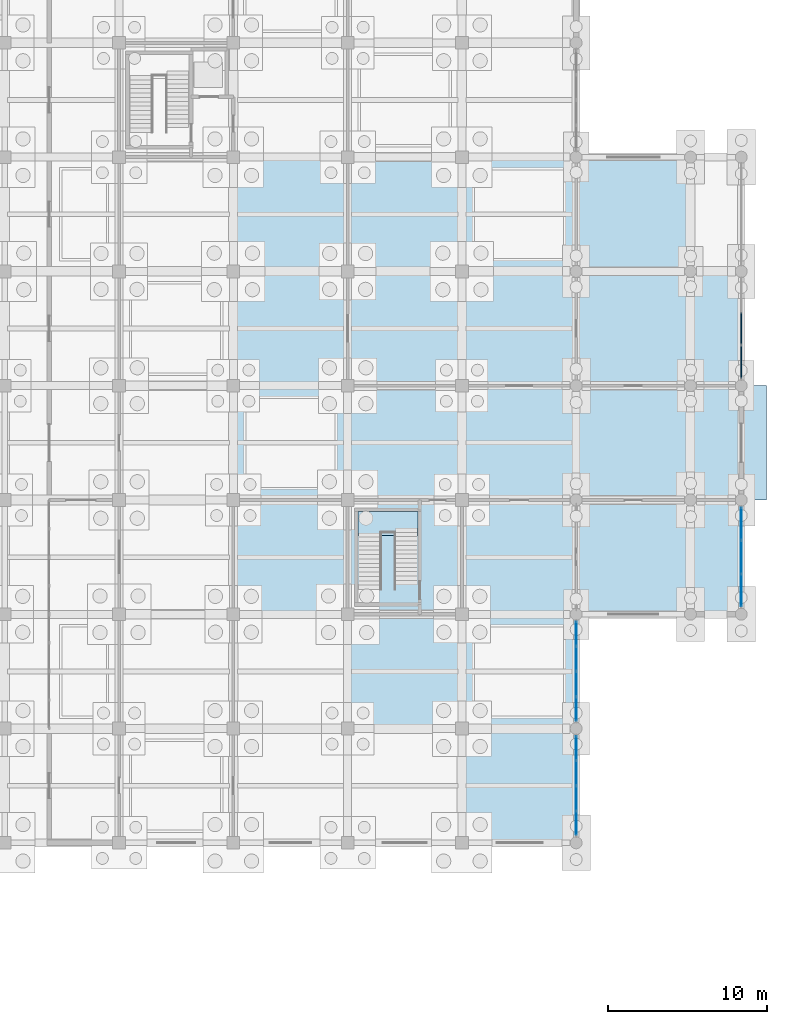
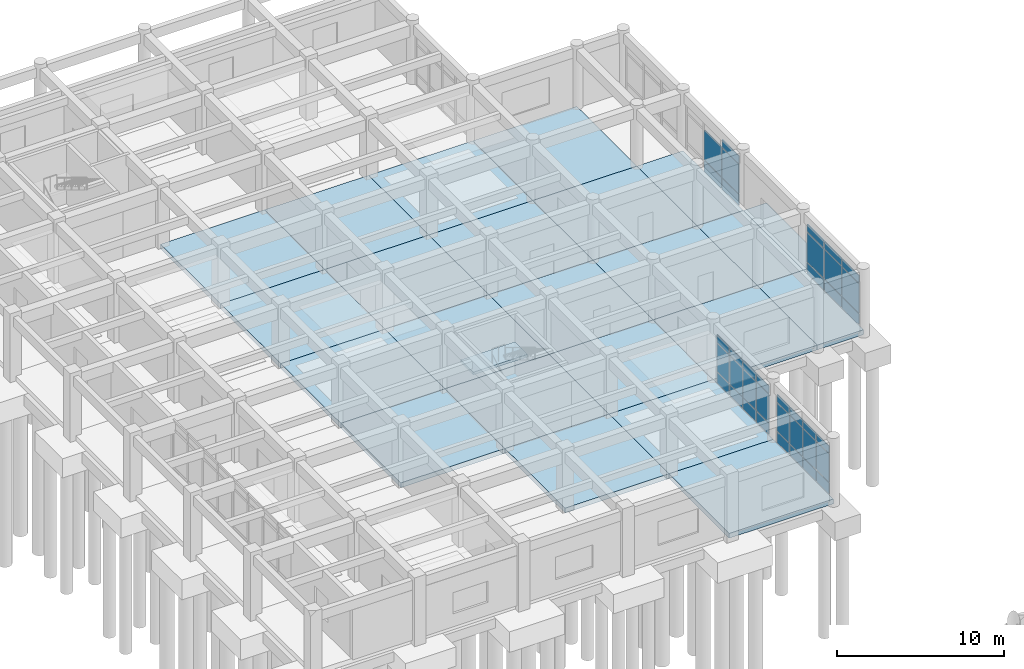
# One storey, part 51 of 79: 38 plates, 24 slabs, 5 elements without a shape of their own.
"""IFC4 building model written with IfcOpenShell, lengths in metres."""

from ifc_helpers import new_model, si_unit, direction, frame, origin, origin_2d, place, context, subcontext, project, spatial, polyline, rectangle, outline, extrude, material, layer, layer_set, type_object, element, aggregate, save


model = new_model("IFC4")

# Units and contexts
model_context = context("Model", 3, precision=1e-05, world=origin(), true_north=direction((0.0, 1.0)))
body_context = subcontext(model_context, "Body", "Model", "MODEL_VIEW")
ifc_project = project(units=[si_unit("LENGTHUNIT", "METRE"), si_unit("AREAUNIT", "SQUARE_METRE"), si_unit("VOLUMEUNIT", "CUBIC_METRE"), si_unit("PLANEANGLEUNIT", "RADIAN"), si_unit("MASSUNIT", "GRAM", prefix="KILO")], contexts=[model_context])

# Site, building, storey
site_placement = place(None, origin())
site = spatial("IfcSite", under=ifc_project, at=site_placement, CompositionType="ELEMENT")
building_placement = place(site_placement, origin())
building = spatial("IfcBuilding", under=site, at=building_placement, Name="Kavelor Marine Aquarium", CompositionType="ELEMENT")
storey_placement = place(building_placement, origin())
storey = spatial("IfcBuildingStorey", under=building, at=storey_placement, Name="L00", CompositionType="ELEMENT", Elevation=0.0)

# Curtain wall, plates
ifc_material_1 = material(Name="Thermally Broken Aluminium and Low-E Glass", Category="aluminium")
ifc_layer_1 = layer(ifc_material_1, 0.243896484375)
ifc_layer_set_1 = layer_set([ifc_layer_1], Name="CW-SYS13")
curtain_wall_type_1 = type_object("IfcCurtainWallType", Name="CW-SYS13", PredefinedType="USERDEFINED", material=ifc_layer_set_1)
curtain_wall_1_placement = place(storey_placement, origin())
curtain_wall_1 = element("IfcCurtainWall", 1, at=curtain_wall_1_placement, inside=storey, type_object=curtain_wall_type_1, Name="cw:y:L00:21_07", ObjectType="Curtain Wall", PredefinedType="USERDEFINED")
ifc_material_2 = material(Name="Solar-Control Double Low-E Glazing", Category="glass")
ifc_layer_2 = layer(ifc_material_2, 0.050048828125)
ifc_layer_set_2 = layer_set([ifc_layer_2], Name="CWP-13")
plate_type_1 = type_object("IfcPlateType", Name="CWP-13", PredefinedType="CURTAIN_PANEL", material=ifc_layer_set_2)
plate_1_placement = place(storey_placement, frame((154.39990234375, 54.433837890625, 0.074951171875), z_axis=(0.0, 0.0, 1.0), x_axis=(0.0, 1.0, 0.0)))
plate_1 = element("IfcPlate", 2, at=plate_1_placement, type_object=plate_type_1, Name="CW13 panel 1.1", PredefinedType="CURTAIN_PANEL", context=body_context, shape_type="SweptSolid", body=[
    extrude(rectangle(XDim=1.4775390625, YDim=0.050048828125, at=origin_2d()), origin(), (0.0, 0.0, 1.0), 0.78759765625),
])
plate_2_placement = place(storey_placement, frame((154.39990234375, 54.433837890625, 0.9375), z_axis=(0.0, 0.0, 1.0), x_axis=(0.0, 1.0, 0.0)))
plate_2 = element("IfcPlate", 3, at=plate_2_placement, type_object=plate_type_1, Name="CW13 panel 1.2", PredefinedType="CURTAIN_PANEL", context=body_context, shape_type="SweptSolid", body=[
    extrude(rectangle(XDim=1.4775390625, YDim=0.050048828125, at=origin_2d()), origin(), (0.0, 0.0, 1.0), 2.044921875),
])
plate_3_placement = place(storey_placement, frame((154.39990234375, 54.433837890625, 3.057373046875), z_axis=(0.0, 0.0, 1.0), x_axis=(0.0, 1.0, 0.0)))
plate_3 = element("IfcPlate", 4, at=plate_3_placement, type_object=plate_type_1, Name="CW13 panel 1.3", PredefinedType="CURTAIN_PANEL", context=body_context, shape_type="SweptSolid", body=[
    extrude(rectangle(XDim=1.4775390625, YDim=0.050048828125, at=origin_2d()), origin(), (0.0, 0.0, 1.0), 0.53759765625),
])
plate_4_placement = place(storey_placement, frame((154.39990234375, 56.0048828125, 0.074951171875), z_axis=(0.0, 0.0, 1.0), x_axis=(0.0, 1.0, 0.0)))
plate_4 = element("IfcPlate", 5, at=plate_4_placement, type_object=plate_type_1, Name="CW13 panel 2.1", PredefinedType="CURTAIN_PANEL", context=body_context, shape_type="SweptSolid", body=[
    extrude(rectangle(XDim=1.514892578125, YDim=0.050048828125, at=origin_2d()), origin(), (0.0, 0.0, 1.0), 0.78759765625),
])
plate_5_placement = place(storey_placement, frame((154.39990234375, 56.0048828125, 0.9375), z_axis=(0.0, 0.0, 1.0), x_axis=(0.0, 1.0, 0.0)))
plate_5 = element("IfcPlate", 6, at=plate_5_placement, type_object=plate_type_1, Name="CW13 panel 2.2", PredefinedType="CURTAIN_PANEL", context=body_context, shape_type="SweptSolid", body=[
    extrude(rectangle(XDim=1.514892578125, YDim=0.050048828125, at=origin_2d()), origin(), (0.0, 0.0, 1.0), 2.044921875),
])
plate_6_placement = place(storey_placement, frame((154.39990234375, 56.0048828125, 3.057373046875), z_axis=(0.0, 0.0, 1.0), x_axis=(0.0, 1.0, 0.0)))
plate_6 = element("IfcPlate", 7, at=plate_6_placement, type_object=plate_type_1, Name="CW13 panel 2.3", PredefinedType="CURTAIN_PANEL", context=body_context, shape_type="SweptSolid", body=[
    extrude(rectangle(XDim=1.514892578125, YDim=0.050048828125, at=origin_2d()), origin(), (0.0, 0.0, 1.0), 0.53759765625),
])
plate_7_placement = place(storey_placement, frame((154.39990234375, 57.594970703125, 0.074951171875), z_axis=(0.0, 0.0, 1.0), x_axis=(0.0, 1.0, 0.0)))
plate_7 = element("IfcPlate", 8, at=plate_7_placement, type_object=plate_type_1, Name="CW13 panel 3.1", PredefinedType="CURTAIN_PANEL", context=body_context, shape_type="SweptSolid", body=[
    extrude(rectangle(XDim=1.514892578125, YDim=0.050048828125, at=origin_2d()), origin(), (0.0, 0.0, 1.0), 0.78759765625),
])
plate_8_placement = place(storey_placement, frame((154.39990234375, 57.594970703125, 0.9375), z_axis=(0.0, 0.0, 1.0), x_axis=(0.0, 1.0, 0.0)))
plate_8 = element("IfcPlate", 9, at=plate_8_placement, type_object=plate_type_1, Name="CW13 panel 3.2", PredefinedType="CURTAIN_PANEL", context=body_context, shape_type="SweptSolid", body=[
    extrude(rectangle(XDim=1.514892578125, YDim=0.050048828125, at=origin_2d()), origin(), (0.0, 0.0, 1.0), 2.044921875),
])
plate_9_placement = place(storey_placement, frame((154.39990234375, 57.594970703125, 3.057373046875), z_axis=(0.0, 0.0, 1.0), x_axis=(0.0, 1.0, 0.0)))
plate_9 = element("IfcPlate", 10, at=plate_9_placement, type_object=plate_type_1, Name="CW13 panel 3.3", PredefinedType="CURTAIN_PANEL", context=body_context, shape_type="SweptSolid", body=[
    extrude(rectangle(XDim=1.514892578125, YDim=0.050048828125, at=origin_2d()), origin(), (0.0, 0.0, 1.0), 0.53759765625),
])
plate_10_placement = place(storey_placement, frame((154.39990234375, 59.166259765625, 0.074951171875), z_axis=(0.0, 0.0, 1.0), x_axis=(0.0, 1.0, 0.0)))
plate_10 = element("IfcPlate", 11, at=plate_10_placement, type_object=plate_type_1, Name="CW13 panel 4.1", PredefinedType="CURTAIN_PANEL", context=body_context, shape_type="SweptSolid", body=[
    extrude(rectangle(XDim=1.4775390625, YDim=0.050048828125, at=origin_2d()), origin(), (0.0, 0.0, 1.0), 0.78759765625),
])
plate_11_placement = place(storey_placement, frame((154.39990234375, 59.166259765625, 0.9375), z_axis=(0.0, 0.0, 1.0), x_axis=(0.0, 1.0, 0.0)))
plate_11 = element("IfcPlate", 12, at=plate_11_placement, type_object=plate_type_1, Name="CW13 panel 4.2", PredefinedType="CURTAIN_PANEL", context=body_context, shape_type="SweptSolid", body=[
    extrude(rectangle(XDim=1.4775390625, YDim=0.050048828125, at=origin_2d()), origin(), (0.0, 0.0, 1.0), 2.044921875),
])
plate_12_placement = place(storey_placement, frame((154.39990234375, 59.166259765625, 3.057373046875), z_axis=(0.0, 0.0, 1.0), x_axis=(0.0, 1.0, 0.0)))
plate_12 = element("IfcPlate", 13, at=plate_12_placement, type_object=plate_type_1, Name="CW13 panel 4.3", PredefinedType="CURTAIN_PANEL", context=body_context, shape_type="SweptSolid", body=[
    extrude(rectangle(XDim=1.4775390625, YDim=0.050048828125, at=origin_2d()), origin(), (0.0, 0.0, 1.0), 0.53759765625),
])
aggregate(curtain_wall_1, [plate_1, plate_2, plate_3, plate_4, plate_5, plate_6, plate_7, plate_8, plate_9, plate_10, plate_11, plate_12])

ifc_material_3 = material(Name="Thermally Broken Aluminium and Low-E Glass", Category="aluminium")
ifc_layer_3 = layer(ifc_material_3, 0.251953125)
ifc_layer_set_3 = layer_set([ifc_layer_3], Name="CW-SYS14")
curtain_wall_type_2 = type_object("IfcCurtainWallType", Name="CW-SYS14", PredefinedType="USERDEFINED", material=ifc_layer_set_3)
curtain_wall_2_placement = place(storey_placement, origin())
curtain_wall_2 = element("IfcCurtainWall", 14, at=curtain_wall_2_placement, inside=storey, type_object=curtain_wall_type_2, Name="cw:y:L00:21_08", ObjectType="Curtain Wall", PredefinedType="USERDEFINED")
ifc_material_4 = material(Name="Solar-Control Double Low-E Glazing", Category="glass")
ifc_layer_4 = layer(ifc_material_4, 0.052001953125)
ifc_layer_set_4 = layer_set([ifc_layer_4], Name="CWP-14")
plate_type_2 = type_object("IfcPlateType", Name="CWP-14", PredefinedType="CURTAIN_PANEL", material=ifc_layer_set_4)
plate_13_placement = place(storey_placement, frame((154.39990234375, 61.63134765625, 0.06494140625), z_axis=(0.0, 0.0, 1.0), x_axis=(0.0, 1.0, 0.0)))
plate_13 = element("IfcPlate", 15, at=plate_13_placement, type_object=plate_type_2, Name="CW14 panel 1.1", PredefinedType="CURTAIN_PANEL", context=body_context, shape_type="SweptSolid", body=[
    extrude(rectangle(XDim=1.492431640625, YDim=0.052001953125, at=origin_2d()), origin(), (0.0, 0.0, 1.0), 0.802490234375),
])
plate_14_placement = place(storey_placement, frame((154.39990234375, 61.63134765625, 0.9326171875), z_axis=(0.0, 0.0, 1.0), x_axis=(0.0, 1.0, 0.0)))
plate_14 = element("IfcPlate", 16, at=plate_14_placement, type_object=plate_type_2, Name="CW14 panel 1.2", PredefinedType="CURTAIN_PANEL", context=body_context, shape_type="SweptSolid", body=[
    extrude(rectangle(XDim=1.492431640625, YDim=0.052001953125, at=origin_2d()), origin(), (0.0, 0.0, 1.0), 2.054931640625),
])
plate_15_placement = place(storey_placement, frame((154.39990234375, 61.63134765625, 3.052734375), z_axis=(0.0, 0.0, 1.0), x_axis=(0.0, 1.0, 0.0)))
plate_15 = element("IfcPlate", 17, at=plate_15_placement, type_object=plate_type_2, Name="CW14 panel 1.3", PredefinedType="CURTAIN_PANEL", context=body_context, shape_type="SweptSolid", body=[
    extrude(rectangle(XDim=1.492431640625, YDim=0.052001953125, at=origin_2d()), origin(), (0.0, 0.0, 1.0), 0.552490234375),
])
plate_16_placement = place(storey_placement, frame((154.39990234375, 63.205078125, 0.06494140625), z_axis=(0.0, 0.0, 1.0), x_axis=(0.0, 1.0, 0.0)))
plate_16 = element("IfcPlate", 18, at=plate_16_placement, type_object=plate_type_2, Name="CW14 panel 2.1", PredefinedType="CURTAIN_PANEL", context=body_context, shape_type="SweptSolid", body=[
    extrude(rectangle(XDim=1.52490234375, YDim=0.052001953125, at=origin_2d()), origin(), (0.0, 0.0, 1.0), 0.802490234375),
])
plate_17_placement = place(storey_placement, frame((154.39990234375, 63.205078125, 0.9326171875), z_axis=(0.0, 0.0, 1.0), x_axis=(0.0, 1.0, 0.0)))
plate_17 = element("IfcPlate", 19, at=plate_17_placement, type_object=plate_type_2, Name="CW14 panel 2.2", PredefinedType="CURTAIN_PANEL", context=body_context, shape_type="SweptSolid", body=[
    extrude(rectangle(XDim=1.52490234375, YDim=0.052001953125, at=origin_2d()), origin(), (0.0, 0.0, 1.0), 2.054931640625),
])
plate_18_placement = place(storey_placement, frame((154.39990234375, 63.205078125, 3.052734375), z_axis=(0.0, 0.0, 1.0), x_axis=(0.0, 1.0, 0.0)))
plate_18 = element("IfcPlate", 20, at=plate_18_placement, type_object=plate_type_2, Name="CW14 panel 2.3", PredefinedType="CURTAIN_PANEL", context=body_context, shape_type="SweptSolid", body=[
    extrude(rectangle(XDim=1.52490234375, YDim=0.052001953125, at=origin_2d()), origin(), (0.0, 0.0, 1.0), 0.552490234375),
])
plate_19_placement = place(storey_placement, frame((154.39990234375, 64.794921875, 0.06494140625), z_axis=(0.0, 0.0, 1.0), x_axis=(0.0, 1.0, 0.0)))
plate_19 = element("IfcPlate", 21, at=plate_19_placement, type_object=plate_type_2, Name="CW14 panel 3.1", PredefinedType="CURTAIN_PANEL", context=body_context, shape_type="SweptSolid", body=[
    extrude(rectangle(XDim=1.52490234375, YDim=0.052001953125, at=origin_2d()), origin(), (0.0, 0.0, 1.0), 0.802490234375),
])
plate_20_placement = place(storey_placement, frame((154.39990234375, 64.794921875, 0.9326171875), z_axis=(0.0, 0.0, 1.0), x_axis=(0.0, 1.0, 0.0)))
plate_20 = element("IfcPlate", 22, at=plate_20_placement, type_object=plate_type_2, Name="CW14 panel 3.2", PredefinedType="CURTAIN_PANEL", context=body_context, shape_type="SweptSolid", body=[
    extrude(rectangle(XDim=1.52490234375, YDim=0.052001953125, at=origin_2d()), origin(), (0.0, 0.0, 1.0), 2.054931640625),
])
plate_21_placement = place(storey_placement, frame((154.39990234375, 64.794921875, 3.052734375), z_axis=(0.0, 0.0, 1.0), x_axis=(0.0, 1.0, 0.0)))
plate_21 = element("IfcPlate", 23, at=plate_21_placement, type_object=plate_type_2, Name="CW14 panel 3.3", PredefinedType="CURTAIN_PANEL", context=body_context, shape_type="SweptSolid", body=[
    extrude(rectangle(XDim=1.52490234375, YDim=0.052001953125, at=origin_2d()), origin(), (0.0, 0.0, 1.0), 0.552490234375),
])
plate_22_placement = place(storey_placement, frame((154.39990234375, 66.36865234375, 0.06494140625), z_axis=(0.0, 0.0, 1.0), x_axis=(0.0, 1.0, 0.0)))
plate_22 = element("IfcPlate", 24, at=plate_22_placement, type_object=plate_type_2, Name="CW14 panel 4.1", PredefinedType="CURTAIN_PANEL", context=body_context, shape_type="SweptSolid", body=[
    extrude(rectangle(XDim=1.492431640625, YDim=0.052001953125, at=origin_2d()), origin(), (0.0, 0.0, 1.0), 0.802490234375),
])
plate_23_placement = place(storey_placement, frame((154.39990234375, 66.36865234375, 0.9326171875), z_axis=(0.0, 0.0, 1.0), x_axis=(0.0, 1.0, 0.0)))
plate_23 = element("IfcPlate", 25, at=plate_23_placement, type_object=plate_type_2, Name="CW14 panel 4.2", PredefinedType="CURTAIN_PANEL", context=body_context, shape_type="SweptSolid", body=[
    extrude(rectangle(XDim=1.492431640625, YDim=0.052001953125, at=origin_2d()), origin(), (0.0, 0.0, 1.0), 2.054931640625),
])
plate_24_placement = place(storey_placement, frame((154.39990234375, 66.36865234375, 3.052734375), z_axis=(0.0, 0.0, 1.0), x_axis=(0.0, 1.0, 0.0)))
plate_24 = element("IfcPlate", 26, at=plate_24_placement, type_object=plate_type_2, Name="CW14 panel 4.3", PredefinedType="CURTAIN_PANEL", context=body_context, shape_type="SweptSolid", body=[
    extrude(rectangle(XDim=1.492431640625, YDim=0.052001953125, at=origin_2d()), origin(), (0.0, 0.0, 1.0), 0.552490234375),
])
aggregate(curtain_wall_2, [plate_13, plate_14, plate_15, plate_16, plate_17, plate_18, plate_19, plate_20, plate_21, plate_22, plate_23, plate_24])

ifc_material_5 = material(Name="Thermally Broken Aluminium and Low-E Glass", Category="aluminium")
ifc_layer_5 = layer(ifc_material_5, 0.2919921875)
ifc_layer_set_5 = layer_set([ifc_layer_5], Name="CW-SYS19")
curtain_wall_type_3 = type_object("IfcCurtainWallType", Name="CW-SYS19", PredefinedType="USERDEFINED", material=ifc_layer_set_5)
curtain_wall_3_placement = place(storey_placement, origin())
curtain_wall_3 = element("IfcCurtainWall", 27, at=curtain_wall_3_placement, inside=storey, type_object=curtain_wall_type_3, Name="cw:y:L00:23_09", ObjectType="Curtain Wall", PredefinedType="USERDEFINED")
ifc_material_6 = material(Name="Solar-Control Double Low-E Glazing", Category="glass")
ifc_layer_6 = layer(ifc_material_6, 0.06201171875)
ifc_layer_set_6 = layer_set([ifc_layer_6], Name="CWP-19")
plate_type_3 = type_object("IfcPlateType", Name="CWP-19", PredefinedType="CURTAIN_PANEL", material=ifc_layer_set_6)
plate_25_placement = place(storey_placement, frame((164.800048828125, 69.0986328125, 0.074951171875), z_axis=(0.0, 0.0, 1.0), x_axis=(0.0, 1.0, 0.0)))
plate_25 = element("IfcPlate", 28, at=plate_25_placement, type_object=plate_type_3, Name="CW19 panel 1.1", PredefinedType="CURTAIN_PANEL", context=body_context, shape_type="SweptSolid", body=[
    extrude(rectangle(XDim=2.007568359375, YDim=0.06201171875, at=origin_2d()), origin(), (0.0, 0.0, 1.0), 0.78759765625),
])
plate_26_placement = place(storey_placement, frame((164.800048828125, 69.0986328125, 0.9375), z_axis=(0.0, 0.0, 1.0), x_axis=(0.0, 1.0, 0.0)))
plate_26 = element("IfcPlate", 29, at=plate_26_placement, type_object=plate_type_3, Name="CW19 panel 1.2", PredefinedType="CURTAIN_PANEL", context=body_context, shape_type="SweptSolid", body=[
    extrude(rectangle(XDim=2.007568359375, YDim=0.06201171875, at=origin_2d()), origin(), (0.0, 0.0, 1.0), 2.125),
])
plate_27_placement = place(storey_placement, frame((164.800048828125, 69.0986328125, 3.137451171875), z_axis=(0.0, 0.0, 1.0), x_axis=(0.0, 1.0, 0.0)))
plate_27 = element("IfcPlate", 30, at=plate_27_placement, type_object=plate_type_3, Name="CW19 panel 1.3", PredefinedType="CURTAIN_PANEL", context=body_context, shape_type="SweptSolid", body=[
    extrude(rectangle(XDim=2.007568359375, YDim=0.06201171875, at=origin_2d()), origin(), (0.0, 0.0, 1.0), 0.53759765625),
])
plate_28_placement = place(storey_placement, frame((164.800048828125, 71.199951171875, 0.074951171875), z_axis=(0.0, 0.0, 1.0), x_axis=(0.0, 1.0, 0.0)))
plate_28 = element("IfcPlate", 31, at=plate_28_placement, type_object=plate_type_3, Name="CW19 panel 2.1", PredefinedType="CURTAIN_PANEL", context=body_context, shape_type="SweptSolid", body=[
    extrude(rectangle(XDim=2.044921875, YDim=0.06201171875, at=origin_2d()), origin(), (0.0, 0.0, 1.0), 0.78759765625),
])
plate_29_placement = place(storey_placement, frame((164.800048828125, 71.199951171875, 0.9375), z_axis=(0.0, 0.0, 1.0), x_axis=(0.0, 1.0, 0.0)))
plate_29 = element("IfcPlate", 32, at=plate_29_placement, type_object=plate_type_3, Name="CW19 panel 2.2", PredefinedType="CURTAIN_PANEL", context=body_context, shape_type="SweptSolid", body=[
    extrude(rectangle(XDim=2.044921875, YDim=0.06201171875, at=origin_2d()), origin(), (0.0, 0.0, 1.0), 2.125),
])
plate_30_placement = place(storey_placement, frame((164.800048828125, 71.199951171875, 3.137451171875), z_axis=(0.0, 0.0, 1.0), x_axis=(0.0, 1.0, 0.0)))
plate_30 = element("IfcPlate", 33, at=plate_30_placement, type_object=plate_type_3, Name="CW19 panel 2.3", PredefinedType="CURTAIN_PANEL", context=body_context, shape_type="SweptSolid", body=[
    extrude(rectangle(XDim=2.044921875, YDim=0.06201171875, at=origin_2d()), origin(), (0.0, 0.0, 1.0), 0.53759765625),
])
plate_31_placement = place(storey_placement, frame((164.800048828125, 73.30126953125, 0.074951171875), z_axis=(0.0, 0.0, 1.0), x_axis=(0.0, 1.0, 0.0)))
plate_31 = element("IfcPlate", 34, at=plate_31_placement, type_object=plate_type_3, Name="CW19 panel 3.1", PredefinedType="CURTAIN_PANEL", context=body_context, shape_type="SweptSolid", body=[
    extrude(rectangle(XDim=2.007568359375, YDim=0.06201171875, at=origin_2d()), origin(), (0.0, 0.0, 1.0), 0.78759765625),
])
plate_32_placement = place(storey_placement, frame((164.800048828125, 73.30126953125, 0.9375), z_axis=(0.0, 0.0, 1.0), x_axis=(0.0, 1.0, 0.0)))
plate_32 = element("IfcPlate", 35, at=plate_32_placement, type_object=plate_type_3, Name="CW19 panel 3.2", PredefinedType="CURTAIN_PANEL", context=body_context, shape_type="SweptSolid", body=[
    extrude(rectangle(XDim=2.007568359375, YDim=0.06201171875, at=origin_2d()), origin(), (0.0, 0.0, 1.0), 2.125),
])
plate_33_placement = place(storey_placement, frame((164.800048828125, 73.30126953125, 3.137451171875), z_axis=(0.0, 0.0, 1.0), x_axis=(0.0, 1.0, 0.0)))
plate_33 = element("IfcPlate", 36, at=plate_33_placement, type_object=plate_type_3, Name="CW19 panel 3.3", PredefinedType="CURTAIN_PANEL", context=body_context, shape_type="SweptSolid", body=[
    extrude(rectangle(XDim=2.007568359375, YDim=0.06201171875, at=origin_2d()), origin(), (0.0, 0.0, 1.0), 0.53759765625),
])
aggregate(curtain_wall_3, [plate_25, plate_26, plate_27, plate_28, plate_29, plate_30, plate_31, plate_32, plate_33])

ifc_material_7 = material(Name="Thermally Broken Aluminium and Low-E Glass", Category="aluminium")
ifc_layer_7 = layer(ifc_material_7, 0.300048828125)
ifc_layer_set_7 = layer_set([ifc_layer_7], Name="CW-SYS20")
curtain_wall_type_4 = type_object("IfcCurtainWallType", Name="CW-SYS20", PredefinedType="USERDEFINED", material=ifc_layer_set_7)
curtain_wall_4_placement = place(storey_placement, origin())
curtain_wall_4 = element("IfcCurtainWall", 37, at=curtain_wall_4_placement, inside=storey, type_object=curtain_wall_type_4, Name="cw:y:L00:23_11", ObjectType="Curtain Wall", PredefinedType="USERDEFINED")
ifc_material_8 = material(Name="Solar-Control Double Low-E Glazing", Category="glass")
ifc_layer_8 = layer(ifc_material_8, 0.06396484375)
ifc_layer_set_8 = layer_set([ifc_layer_8], Name="CWP-20")
plate_type_4 = type_object("IfcPlateType", Name="CWP-20", PredefinedType="CURTAIN_PANEL", material=ifc_layer_set_8)
plate_34_placement = place(storey_placement, frame((164.800048828125, 83.496337890625, 0.06494140625), z_axis=(0.0, 0.0, 1.0), x_axis=(0.0, 1.0, 0.0)))
plate_34 = element("IfcPlate", 38, at=plate_34_placement, type_object=plate_type_4, Name="CW20 panel 1.1", PredefinedType="CURTAIN_PANEL", context=body_context, shape_type="SweptSolid", body=[
    extrude(rectangle(XDim=2.0224609375, YDim=0.06396484375, at=origin_2d()), origin(), (0.0, 0.0, 1.0), 0.802490234375),
])
plate_35_placement = place(storey_placement, frame((164.800048828125, 83.496337890625, 0.9326171875), z_axis=(0.0, 0.0, 1.0), x_axis=(0.0, 1.0, 0.0)))
plate_35 = element("IfcPlate", 39, at=plate_35_placement, type_object=plate_type_4, Name="CW20 panel 1.2", PredefinedType="CURTAIN_PANEL", context=body_context, shape_type="SweptSolid", body=[
    extrude(rectangle(XDim=2.0224609375, YDim=0.06396484375, at=origin_2d()), origin(), (0.0, 0.0, 1.0), 2.135009765625),
])
plate_36_placement = place(storey_placement, frame((164.800048828125, 83.496337890625, 3.13232421875), z_axis=(0.0, 0.0, 1.0), x_axis=(0.0, 1.0, 0.0)))
plate_36 = element("IfcPlate", 40, at=plate_36_placement, type_object=plate_type_4, Name="CW20 panel 1.3", PredefinedType="CURTAIN_PANEL", context=body_context, shape_type="SweptSolid", body=[
    extrude(rectangle(XDim=2.0224609375, YDim=0.06396484375, at=origin_2d()), origin(), (0.0, 0.0, 1.0), 0.552490234375),
])
plate_37_placement = place(storey_placement, frame((164.800048828125, 85.60009765625, 0.06494140625), z_axis=(0.0, 0.0, 1.0), x_axis=(0.0, 1.0, 0.0)))
plate_37 = element("IfcPlate", 41, at=plate_37_placement, type_object=plate_type_4, Name="CW20 panel 2.1", PredefinedType="CURTAIN_PANEL", context=body_context, shape_type="SweptSolid", body=[
    extrude(rectangle(XDim=2.054931640625, YDim=0.06396484375, at=origin_2d()), origin(), (0.0, 0.0, 1.0), 0.802490234375),
])
plate_38_placement = place(storey_placement, frame((164.800048828125, 85.60009765625, 0.9326171875), z_axis=(0.0, 0.0, 1.0), x_axis=(0.0, 1.0, 0.0)))
plate_38 = element("IfcPlate", 42, at=plate_38_placement, type_object=plate_type_4, Name="CW20 panel 2.2", PredefinedType="CURTAIN_PANEL", context=body_context, shape_type="SweptSolid", body=[
    extrude(rectangle(XDim=2.054931640625, YDim=0.06396484375, at=origin_2d()), origin(), (0.0, 0.0, 1.0), 2.135009765625),
])
aggregate(curtain_wall_4, [plate_34, plate_35, plate_36, plate_37, plate_38])

# Stair, slab
ifc_material_9 = material(Name="Concrete C40/50", Category="concrete")
stair_type = type_object("IfcStairType", Name="ST-T1", PredefinedType="HALF_TURN_STAIR", material=ifc_material_9)
stair_placement = place(storey_placement, origin())
stair = element("IfcStair", 43, at=stair_placement, inside=storey, type_object=stair_type, Name="Exit Stair ST11 (L00)", PredefinedType="HALF_TURN_STAIR")
ifc_material_10 = material(Name="Concrete C40/50", Category="concrete")
ifc_layer_9 = layer(ifc_material_10, 0.199951171875)
ifc_layer_set_9 = layer_set([ifc_layer_9], Name="LND-T1")
slab_type_1 = type_object("IfcSlabType", Name="LND-T1", PredefinedType="LANDING", material=ifc_layer_set_9)
slab_1_placement = place(storey_placement, frame((0.0, 0.0, 2.139892578125)))
slab_1 = element("IfcSlab", 44, at=slab_1_placement, type_object=slab_type_1, Name="ST11 landing 1", PredefinedType="LANDING", context=body_context, shape_type="SweptSolid", body=[
    extrude(outline(polyline([(140.659912109375, 72.554931640625), (144.419921875, 72.554931640625), (144.419921875, 74.06005859375), (140.659912109375, 74.06005859375), (140.659912109375, 72.554931640625)])), origin(), (0.0, 0.0, 1.0), 0.2001953125),
])
aggregate(stair, [slab_1])

# Slabs
ifc_material_11 = material(Name="Textured Coastal Granite Paving", Category="masonry")
ifc_layer_10 = layer(ifc_material_11, 0.199951171875)
ifc_layer_set_10 = layer_set([ifc_layer_10], Name="SL-AP1")
slab_type_2 = type_object("IfcSlabType", Name="SL-AP1", PredefinedType="BASESLAB", material=ifc_layer_set_10)
slab_2_placement = place(storey_placement, frame((0.0, 0.0, -0.199951171875)))
element("IfcSlab", 45, at=slab_2_placement, inside=storey, type_object=slab_type_2, Name="apron:ed:07", PredefinedType="BASESLAB", context=body_context, shape_type="SweptSolid", body=[
    extrude(outline(polyline([(164.800048828125, 74.800048828125), (166.39990234375, 74.800048828125), (166.39990234375, 82.0), (164.800048828125, 82.0), (164.800048828125, 74.800048828125)])), origin(), (0.0, 0.0, 1.0), 0.199951171875),
])
ifc_material_12 = material(Name="Concrete C40/50", Category="concrete")
ifc_layer_11 = layer(ifc_material_12, 0.35009765625)
ifc_layer_set_11 = layer_set([ifc_layer_11], Name="SL-BS2")
slab_type_3 = type_object("IfcSlabType", Name="SL-BS2", PredefinedType="BASESLAB", material=ifc_layer_set_11)
slab_3_placement = place(storey_placement, frame((0.0, 0.0, -0.35009765625)))
element("IfcSlab", 46, at=slab_3_placement, inside=storey, type_object=slab_type_3, Name="slab:L00:18_09", PredefinedType="BASESLAB", context=body_context, shape_type="SweptSolid", body=[
    extrude(outline(polyline([(132.800048828125, 67.60009765625), (140.0, 67.60009765625), (140.0, 74.800048828125), (132.800048828125, 74.800048828125), (132.800048828125, 67.60009765625)])), origin(), (0.0, 0.0, 1.0), 0.35009765625),
])
slab_4_placement = place(storey_placement, frame((0.0, 0.0, -0.35009765625)))
element("IfcSlab", 47, at=slab_4_placement, inside=storey, type_object=slab_type_3, Name="slab:L00:18_10", PredefinedType="BASESLAB", context=body_context, shape_type="SweptSolid", body=[
    extrude(outline(polyline([(132.800048828125, 74.800048828125), (140.0, 74.800048828125), (140.0, 82.0), (132.800048828125, 82.0), (132.800048828125, 74.800048828125)])), origin(), (0.0, 0.0, 1.0), 0.35009765625),
])
slab_5_placement = place(storey_placement, frame((0.0, 0.0, -0.35009765625)))
element("IfcSlab", 48, at=slab_5_placement, inside=storey, type_object=slab_type_3, Name="slab:L00:18_11", PredefinedType="BASESLAB", context=body_context, shape_type="SweptSolid", body=[
    extrude(outline(polyline([(132.800048828125, 82.0), (140.0, 82.0), (140.0, 89.199951171875), (132.800048828125, 89.199951171875), (132.800048828125, 82.0)])), origin(), (0.0, 0.0, 1.0), 0.35009765625),
])
slab_6_placement = place(storey_placement, frame((0.0, 0.0, -0.35009765625)))
element("IfcSlab", 49, at=slab_6_placement, inside=storey, type_object=slab_type_3, Name="slab:L00:18_12", PredefinedType="BASESLAB", context=body_context, shape_type="SweptSolid", body=[
    extrude(outline(polyline([(132.800048828125, 89.199951171875), (140.0, 89.199951171875), (140.0, 96.39990234375), (132.800048828125, 96.39990234375), (132.800048828125, 89.199951171875)])), origin(), (0.0, 0.0, 1.0), 0.35009765625),
])
slab_7_placement = place(storey_placement, frame((0.0, 0.0, -0.35009765625)))
element("IfcSlab", 50, at=slab_7_placement, inside=storey, type_object=slab_type_3, Name="slab:L00:19_08", PredefinedType="BASESLAB", context=body_context, shape_type="SweptSolid", body=[
    extrude(outline(polyline([(140.0, 60.39990234375), (147.199951171875, 60.39990234375), (147.199951171875, 67.60009765625), (140.0, 67.60009765625), (140.0, 60.39990234375)])), origin(), (0.0, 0.0, 1.0), 0.35009765625),
])
slab_8_placement = place(storey_placement, frame((0.0, 0.0, -0.35009765625)))
element("IfcSlab", 51, at=slab_8_placement, inside=storey, type_object=slab_type_3, Name="slab:L00:19_09", PredefinedType="BASESLAB", context=body_context, shape_type="SweptSolid", body=[
    extrude(outline(polyline([(140.0, 67.60009765625), (147.199951171875, 67.60009765625), (147.199951171875, 74.800048828125), (140.0, 74.800048828125), (140.0, 67.60009765625)])), origin(), (0.0, 0.0, 1.0), 0.35009765625),
])
slab_9_placement = place(storey_placement, frame((0.0, 0.0, -0.35009765625)))
element("IfcSlab", 52, at=slab_9_placement, inside=storey, type_object=slab_type_3, Name="slab:L00:19_10", PredefinedType="BASESLAB", context=body_context, shape_type="SweptSolid", body=[
    extrude(outline(polyline([(140.0, 74.800048828125), (147.199951171875, 74.800048828125), (147.199951171875, 82.0), (140.0, 82.0), (140.0, 74.800048828125)])), origin(), (0.0, 0.0, 1.0), 0.35009765625),
])
slab_10_placement = place(storey_placement, frame((0.0, 0.0, -0.35009765625)))
element("IfcSlab", 53, at=slab_10_placement, inside=storey, type_object=slab_type_3, Name="slab:L00:19_11", PredefinedType="BASESLAB", context=body_context, shape_type="SweptSolid", body=[
    extrude(outline(polyline([(140.0, 82.0), (147.199951171875, 82.0), (147.199951171875, 89.199951171875), (140.0, 89.199951171875), (140.0, 82.0)])), origin(), (0.0, 0.0, 1.0), 0.35009765625),
])
slab_11_placement = place(storey_placement, frame((0.0, 0.0, -0.35009765625)))
element("IfcSlab", 54, at=slab_11_placement, inside=storey, type_object=slab_type_3, Name="slab:L00:19_12", PredefinedType="BASESLAB", context=body_context, shape_type="SweptSolid", body=[
    extrude(outline(polyline([(140.0, 89.199951171875), (147.199951171875, 89.199951171875), (147.199951171875, 96.39990234375), (140.0, 96.39990234375), (140.0, 89.199951171875)])), origin(), (0.0, 0.0, 1.0), 0.35009765625),
])
slab_12_placement = place(storey_placement, frame((0.0, 0.0, -0.35009765625)))
element("IfcSlab", 55, at=slab_12_placement, inside=storey, type_object=slab_type_3, Name="slab:L00:20_07", PredefinedType="BASESLAB", context=body_context, shape_type="SweptSolid", body=[
    extrude(outline(polyline([(147.199951171875, 53.199951171875), (154.39990234375, 53.199951171875), (154.39990234375, 60.39990234375), (147.199951171875, 60.39990234375), (147.199951171875, 53.199951171875)])), origin(), (0.0, 0.0, 1.0), 0.35009765625),
])
slab_13_placement = place(storey_placement, frame((0.0, 0.0, -0.35009765625)))
element("IfcSlab", 56, at=slab_13_placement, inside=storey, type_object=slab_type_3, Name="slab:L00:20_08", PredefinedType="BASESLAB", context=body_context, shape_type="SweptSolid", body=[
    extrude(outline(polyline([(147.199951171875, 60.39990234375), (154.39990234375, 60.39990234375), (154.39990234375, 67.60009765625), (147.199951171875, 67.60009765625), (147.199951171875, 60.39990234375)])), origin(), (0.0, 0.0, 1.0), 0.35009765625),
])
slab_14_placement = place(storey_placement, frame((0.0, 0.0, -0.35009765625)))
element("IfcSlab", 57, at=slab_14_placement, inside=storey, type_object=slab_type_3, Name="slab:L00:20_09", PredefinedType="BASESLAB", context=body_context, shape_type="SweptSolid", body=[
    extrude(outline(polyline([(147.199951171875, 67.60009765625), (154.39990234375, 67.60009765625), (154.39990234375, 74.800048828125), (147.199951171875, 74.800048828125), (147.199951171875, 67.60009765625)])), origin(), (0.0, 0.0, 1.0), 0.35009765625),
])
slab_15_placement = place(storey_placement, frame((0.0, 0.0, -0.35009765625)))
element("IfcSlab", 58, at=slab_15_placement, inside=storey, type_object=slab_type_3, Name="slab:L00:20_10", PredefinedType="BASESLAB", context=body_context, shape_type="SweptSolid", body=[
    extrude(outline(polyline([(147.199951171875, 74.800048828125), (154.39990234375, 74.800048828125), (154.39990234375, 82.0), (147.199951171875, 82.0), (147.199951171875, 74.800048828125)])), origin(), (0.0, 0.0, 1.0), 0.35009765625),
])
slab_16_placement = place(storey_placement, frame((0.0, 0.0, -0.35009765625)))
element("IfcSlab", 59, at=slab_16_placement, inside=storey, type_object=slab_type_3, Name="slab:L00:20_11", PredefinedType="BASESLAB", context=body_context, shape_type="SweptSolid", body=[
    extrude(outline(polyline([(147.199951171875, 82.0), (154.39990234375, 82.0), (154.39990234375, 89.199951171875), (147.199951171875, 89.199951171875), (147.199951171875, 82.0)])), origin(), (0.0, 0.0, 1.0), 0.35009765625),
])
slab_17_placement = place(storey_placement, frame((0.0, 0.0, -0.35009765625)))
element("IfcSlab", 60, at=slab_17_placement, inside=storey, type_object=slab_type_3, Name="slab:L00:20_12", PredefinedType="BASESLAB", context=body_context, shape_type="SweptSolid", body=[
    extrude(outline(polyline([(147.199951171875, 89.199951171875), (154.39990234375, 89.199951171875), (154.39990234375, 96.39990234375), (147.199951171875, 96.39990234375), (147.199951171875, 89.199951171875)])), origin(), (0.0, 0.0, 1.0), 0.35009765625),
])
slab_18_placement = place(storey_placement, frame((0.0, 0.0, -0.35009765625)))
element("IfcSlab", 61, at=slab_18_placement, inside=storey, type_object=slab_type_3, Name="slab:L00:21_09", PredefinedType="BASESLAB", context=body_context, shape_type="SweptSolid", body=[
    extrude(outline(polyline([(154.39990234375, 67.60009765625), (161.60009765625, 67.60009765625), (161.60009765625, 74.800048828125), (154.39990234375, 74.800048828125), (154.39990234375, 67.60009765625)])), origin(), (0.0, 0.0, 1.0), 0.35009765625),
])
slab_19_placement = place(storey_placement, frame((0.0, 0.0, -0.35009765625)))
element("IfcSlab", 62, at=slab_19_placement, inside=storey, type_object=slab_type_3, Name="slab:L00:21_10", PredefinedType="BASESLAB", context=body_context, shape_type="SweptSolid", body=[
    extrude(outline(polyline([(154.39990234375, 74.800048828125), (161.60009765625, 74.800048828125), (161.60009765625, 82.0), (154.39990234375, 82.0), (154.39990234375, 74.800048828125)])), origin(), (0.0, 0.0, 1.0), 0.35009765625),
])
slab_20_placement = place(storey_placement, frame((0.0, 0.0, -0.35009765625)))
element("IfcSlab", 63, at=slab_20_placement, inside=storey, type_object=slab_type_3, Name="slab:L00:21_11", PredefinedType="BASESLAB", context=body_context, shape_type="SweptSolid", body=[
    extrude(outline(polyline([(154.39990234375, 82.0), (161.60009765625, 82.0), (161.60009765625, 89.199951171875), (154.39990234375, 89.199951171875), (154.39990234375, 82.0)])), origin(), (0.0, 0.0, 1.0), 0.35009765625),
])
slab_21_placement = place(storey_placement, frame((0.0, 0.0, -0.35009765625)))
element("IfcSlab", 64, at=slab_21_placement, inside=storey, type_object=slab_type_3, Name="slab:L00:21_12", PredefinedType="BASESLAB", context=body_context, shape_type="SweptSolid", body=[
    extrude(outline(polyline([(154.39990234375, 89.199951171875), (161.60009765625, 89.199951171875), (161.60009765625, 96.39990234375), (154.39990234375, 96.39990234375), (154.39990234375, 89.199951171875)])), origin(), (0.0, 0.0, 1.0), 0.35009765625),
])
slab_22_placement = place(storey_placement, frame((0.0, 0.0, -0.35009765625)))
element("IfcSlab", 65, at=slab_22_placement, inside=storey, type_object=slab_type_3, Name="slab:L00:22_09", PredefinedType="BASESLAB", context=body_context, shape_type="SweptSolid", body=[
    extrude(outline(polyline([(161.60009765625, 67.60009765625), (164.800048828125, 67.60009765625), (164.800048828125, 74.800048828125), (161.60009765625, 74.800048828125), (161.60009765625, 67.60009765625)])), origin(), (0.0, 0.0, 1.0), 0.35009765625),
])
slab_23_placement = place(storey_placement, frame((0.0, 0.0, -0.35009765625)))
element("IfcSlab", 66, at=slab_23_placement, inside=storey, type_object=slab_type_3, Name="slab:L00:22_10", PredefinedType="BASESLAB", context=body_context, shape_type="SweptSolid", body=[
    extrude(outline(polyline([(161.60009765625, 74.800048828125), (164.800048828125, 74.800048828125), (164.800048828125, 82.0), (161.60009765625, 82.0), (161.60009765625, 74.800048828125)])), origin(), (0.0, 0.0, 1.0), 0.35009765625),
])
slab_24_placement = place(storey_placement, frame((0.0, 0.0, -0.35009765625)))
element("IfcSlab", 67, at=slab_24_placement, inside=storey, type_object=slab_type_3, Name="slab:L00:22_11", PredefinedType="BASESLAB", context=body_context, shape_type="SweptSolid", body=[
    extrude(outline(polyline([(161.60009765625, 82.0), (164.800048828125, 82.0), (164.800048828125, 89.199951171875), (161.60009765625, 89.199951171875), (161.60009765625, 82.0)])), origin(), (0.0, 0.0, 1.0), 0.35009765625),
])

save(model, "model.ifc")
